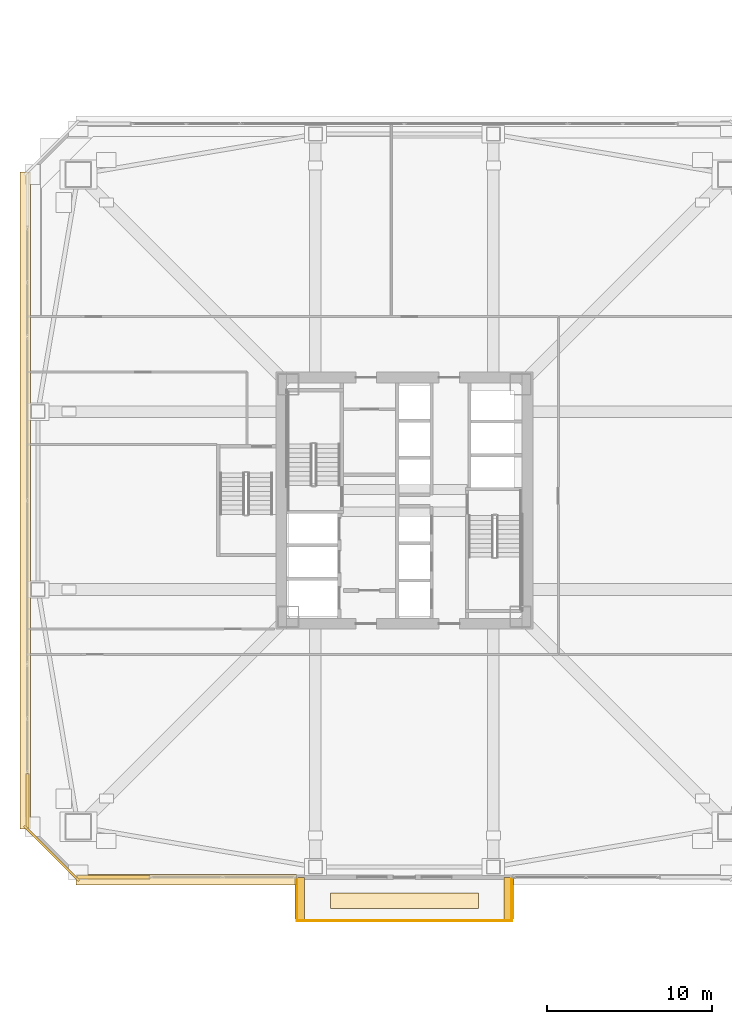
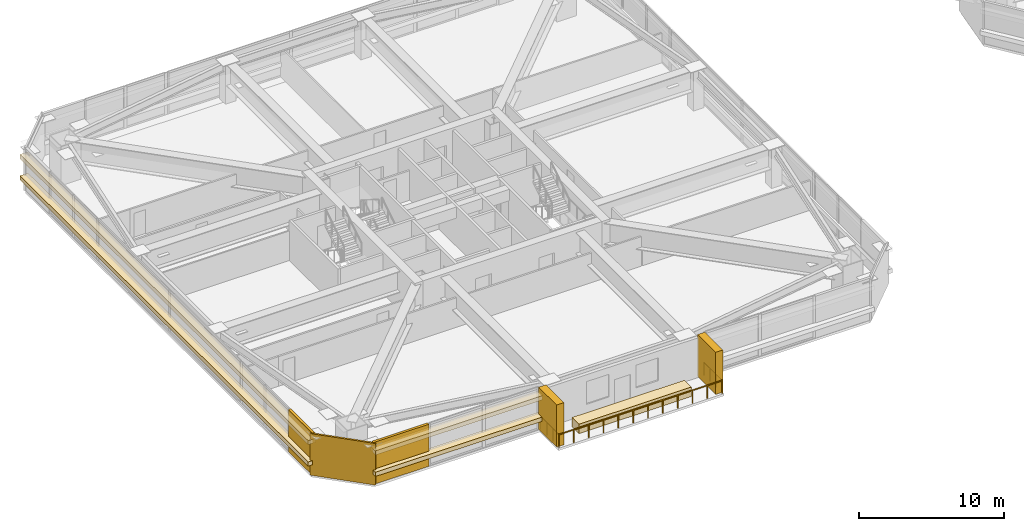
# One storey, part 43 of 48: 10 coverings, 3 railings.
"""IFC4 building model written with IfcOpenShell, lengths in metres."""

from ifc_helpers import new_model, si_unit, direction, frame, origin, origin_2d, place, context, subcontext, project, spatial, rectangle, extrude, material, layer, layer_set, type_object, element, save


model = new_model("IFC4")

# Units and contexts
model_context = context("Model", 3, precision=1e-05, world=origin(), true_north=direction((0.0, 1.0)))
body_context = subcontext(model_context, "Body", "Model", "MODEL_VIEW")
ifc_project = project(units=[si_unit("LENGTHUNIT", "METRE"), si_unit("AREAUNIT", "SQUARE_METRE"), si_unit("VOLUMEUNIT", "CUBIC_METRE"), si_unit("PLANEANGLEUNIT", "RADIAN"), si_unit("MASSUNIT", "GRAM", prefix="KILO")], contexts=[model_context])

# Site, building, storey
site_placement = place(None, origin())
site = spatial("IfcSite", under=ifc_project, at=site_placement, CompositionType="ELEMENT")
building_placement = place(site_placement, origin())
building = spatial("IfcBuilding", under=site, at=building_placement, Name="Tashvorn Skyway Center", CompositionType="ELEMENT")
storey_placement = place(building_placement, frame((0.0, 0.0, 63.64990234375)))
storey = spatial("IfcBuildingStorey", under=building, at=storey_placement, Name="L16", CompositionType="ELEMENT", Elevation=63.64990234375)

# Coverings
ifc_material_1 = material(Name="Precast concrete C40/50", Category="concrete")
ifc_layer_1 = layer(ifc_material_1, 0.199951171875)
ifc_layer_set_1 = layer_set([ifc_layer_1], Name="Precast concrete C40/50")
covering_type_1 = type_object("IfcCoveringType", Name="COV-BRACE-CLAD", PredefinedType="CLADDING", material=ifc_layer_set_1)
covering_1_placement = place(storey_placement, frame((24.333251953125, 9.1201171875, 0.0), z_axis=(0.0, 0.0, 1.0), x_axis=(-1.0, 0.0, 0.0)))
element("IfcCovering", 1, at=covering_1_placement, inside=storey, type_object=covering_type_1, Name="Tower 1 L16 South Curtain Wall R Mega-Brace Cladding Band 1", PredefinedType="CLADDING", context=body_context, shape_type="SweptSolid", body=[
    extrude(rectangle(XDim=4.4267578125, YDim=0.199951171875, at=origin_2d()), origin(), (0.0, 0.0, 1.0), 3.550048828125),
])
covering_2_placement = place(storey_placement, frame((19.1201171875, 13.776611328125, 0.0), z_axis=(0.0, 0.0, 1.0), x_axis=(0.0, 1.0, 0.0)))
element("IfcCovering", 2, at=covering_2_placement, inside=storey, type_object=covering_type_1, Name="Tower 1 L16 West Unitised Curtain Wall Mega-Brace Cladding Band 1", PredefinedType="CLADDING", context=body_context, shape_type="SweptSolid", body=[
    extrude(rectangle(XDim=3.313232421875, YDim=0.199951171875, at=origin_2d()), origin(), (0.0, 0.0, 1.0), 3.550048828125),
])
ifc_material_2 = material(Name="Perforated ceramic-coated bronze aluminium solar screen", Category="aluminium")
ifc_layer_2 = layer(ifc_material_2, 0.85009765625)
ifc_layer_set_2 = layer_set([ifc_layer_2], Name="Perforated ceramic-coated bronze aluminium solar screen")
covering_type_2 = type_object("IfcCoveringType", Name="COV-SOLAR-BAND", PredefinedType="CLADDING", material=ifc_layer_set_2)
for number, where, z_axis, x_axis, name in (
    (3, (28.760009765625, 8.97998046875, 0.919921875), (0.0, 0.0, 1.0), (-1.0, 0.0, 0.0), "L16 Perforated Ceramic-Metal Solar Screen Louvre Band South 1"),
    (4, (28.760009765625, 8.97998046875, 2.72021484375), (0.0, 0.0, 1.0), (-1.0, 0.0, 0.0), "L16 Perforated Ceramic-Metal Solar Screen Louvre Band South 2"),
):
    element("IfcCovering", number, at=place(storey_placement, frame(where, z_axis=z_axis, x_axis=x_axis)), inside=storey, type_object=covering_type_2, Name=name, PredefinedType="CLADDING", context=body_context, shape_type="SweptSolid", body=[
        extrude(rectangle(XDim=13.39990234375, YDim=0.639892578125, at=origin_2d()), origin(), (0.0, 0.0, 1.0), 0.360107421875),
    ])
for number, where, z_axis, x_axis, name in (
    (5, (18.97998046875, 32.0, 0.919921875), (0.0, 0.0, 1.0), (0.0, 1.0, 0.0), "L16 Perforated Ceramic-Metal Solar Screen Louvre Band West 1"),
    (6, (18.97998046875, 32.0, 2.72021484375), (0.0, 0.0, 1.0), (0.0, 1.0, 0.0), "L16 Perforated Ceramic-Metal Solar Screen Louvre Band West 2"),
):
    element("IfcCovering", number, at=place(storey_placement, frame(where, z_axis=z_axis, x_axis=x_axis)), inside=storey, type_object=covering_type_2, Name=name, PredefinedType="CLADDING", context=body_context, shape_type="SweptSolid", body=[
        extrude(rectangle(XDim=39.8798828125, YDim=0.639892578125, at=origin_2d()), origin(), (0.0, 0.0, 1.0), 0.360107421875),
    ])
ifc_layer_3 = layer(ifc_material_1, 0.35009765625)
ifc_layer_set_3 = layer_set([ifc_layer_3], Name="Precast concrete C40/50")
covering_type_3 = type_object("IfcCoveringType", Name="COV-STONE-TRIM", PredefinedType="CLADDING", material=ifc_layer_set_3)
for number, where, z_axis, x_axis, name in (
    (7, (48.35009765625, 7.85009765625, 0.0), (0.0, 0.0, 1.0), (-1.0, 0.0, 0.0), "Tower 1 L16 Sky Garden Loggia Pier L"),
    (8, (35.64990234375, 7.85009765625, 0.0), (0.0, 0.0, 1.0), (-1.0, 0.0, 0.0), "Tower 1 L16 Sky Garden Loggia Pier R"),
):
    element("IfcCovering", number, at=place(storey_placement, frame(where, z_axis=z_axis, x_axis=x_axis)), inside=storey, type_object=covering_type_3, Name=name, PredefinedType="CLADDING", context=body_context, shape_type="SweptSolid", body=[
        extrude(rectangle(XDim=0.580078125, YDim=2.5, at=origin_2d()), origin(), (0.0, 0.0, 1.0), 3.550048828125),
    ])
covering_3_placement = place(storey_placement, frame((42.0, 7.699951171875, 0.0), z_axis=(0.0, 0.0, 1.0), x_axis=(-1.0, 0.0, 0.0)))
element("IfcCovering", 9, at=covering_3_placement, inside=storey, type_object=covering_type_3, Name="Tower 1 L16 Sky Garden Stone Planter Bed", PredefinedType="CLADDING", context=body_context, shape_type="SweptSolid", body=[
    extrude(rectangle(XDim=8.97607421875, YDim=0.949951171875, at=origin_2d()), origin(), (0.0, 0.0, 1.0), 0.800048828125),
])
covering_4_placement = place(storey_placement, frame((20.580078125, 10.580078125, 0.02001953125), z_axis=(0.0, 0.0, 1.0), x_axis=(-0.707106781187, 0.707106781187, 0.0)))
element("IfcCovering", 10, at=covering_4_placement, inside=storey, type_object=covering_type_3, Name="Tower 1 L16 SW Mojave Limestone Corner Quoin", PredefinedType="CLADDING", context=body_context, shape_type="SweptSolid", body=[
    extrude(rectangle(XDim=4.685546875, YDim=0.139892578125, at=origin_2d()), origin(), (0.0, 0.0, 1.0), 3.510009765625),
])

# Railings
ifc_material_3 = material(Name="Galvanized steel S355", Category="steel")
railing_type = type_object("IfcRailingType", Name="RAIL-GUARD-1120", PredefinedType="GUARDRAIL", material=ifc_material_3)
railing_1_placement = place(storey_placement, frame((35.47998046875, 9.0, 0.0)))
element("IfcRailing", 11, at=railing_1_placement, inside=storey, type_object=railing_type, Name="L16 Tower 1 Terrace Guardrail 01", PredefinedType="GUARDRAIL", context=body_context, shape_type="SweptSolid", body=[
    extrude(rectangle(XDim=0.048095703125, YDim=0.048095703125, at=origin_2d()), frame((0.0, 0.0, 1.09619140625), z_axis=(0.0, -1.0, 0.0), x_axis=(1.0, 0.0, 0.0)), (0.0, 0.0, 1.0), 2.52001953125),
    extrude(rectangle(XDim=0.0419921875, YDim=0.0419921875, at=origin_2d()), origin(), (0.0, 0.0, 1.0), 1.072021484375),
    extrude(rectangle(XDim=0.0419921875, YDim=0.0419921875, at=origin_2d()), frame((0.0, -0.840087890625, 0.0)), (0.0, 0.0, 1.0), 1.072021484375),
    extrude(rectangle(XDim=0.0419921875, YDim=0.0419921875, at=origin_2d()), frame((0.0, -1.679931640625, 0.0)), (0.0, 0.0, 1.0), 1.072021484375),
    extrude(rectangle(XDim=0.0419921875, YDim=0.0419921875, at=origin_2d()), frame((0.0, -2.52001953125, 0.0)), (0.0, 0.0, 1.0), 1.072021484375),
])
railing_2_placement = place(storey_placement, frame((35.47998046875, 6.47998046875, 0.0)))
element("IfcRailing", 12, at=railing_2_placement, inside=storey, type_object=railing_type, Name="L16 Tower 1 Terrace Guardrail 02", PredefinedType="GUARDRAIL", context=body_context, shape_type="SweptSolid", body=[
    extrude(rectangle(XDim=0.048095703125, YDim=0.048095703125, at=origin_2d()), frame((0.0, 0.0, 1.09619140625), z_axis=(1.0, 0.0, 0.0), x_axis=(0.0, 1.0, 0.0)), (0.0, 0.0, 1.0), 13.0400390625),
    extrude(rectangle(XDim=0.0419921875, YDim=0.0419921875, at=origin_2d()), origin(), (0.0, 0.0, 1.0), 1.072021484375),
    extrude(rectangle(XDim=0.0419921875, YDim=0.0419921875, at=origin_2d()), frame((1.185546875, 0.0, 0.0)), (0.0, 0.0, 1.0), 1.072021484375),
    extrude(rectangle(XDim=0.0419921875, YDim=0.0419921875, at=origin_2d()), frame((2.370849609375, 0.0, 0.0)), (0.0, 0.0, 1.0), 1.072021484375),
    extrude(rectangle(XDim=0.0419921875, YDim=0.0419921875, at=origin_2d()), frame((3.556396484375, 0.0, 0.0)), (0.0, 0.0, 1.0), 1.072021484375),
    extrude(rectangle(XDim=0.0419921875, YDim=0.0419921875, at=origin_2d()), frame((4.741943359375, 0.0, 0.0)), (0.0, 0.0, 1.0), 1.072021484375),
    extrude(rectangle(XDim=0.0419921875, YDim=0.0419921875, at=origin_2d()), frame((5.92724609375, 0.0, 0.0)), (0.0, 0.0, 1.0), 1.072021484375),
    extrude(rectangle(XDim=0.0419921875, YDim=0.0419921875, at=origin_2d()), frame((7.11279296875, 0.0, 0.0)), (0.0, 0.0, 1.0), 1.072021484375),
    extrude(rectangle(XDim=0.0419921875, YDim=0.0419921875, at=origin_2d()), frame((8.298095703125, 0.0, 0.0)), (0.0, 0.0, 1.0), 1.072021484375),
    extrude(rectangle(XDim=0.0419921875, YDim=0.0419921875, at=origin_2d()), frame((9.483642578125, 0.0, 0.0)), (0.0, 0.0, 1.0), 1.072021484375),
    extrude(rectangle(XDim=0.0419921875, YDim=0.0419921875, at=origin_2d()), frame((10.669189453125, 0.0, 0.0)), (0.0, 0.0, 1.0), 1.072021484375),
    extrude(rectangle(XDim=0.0419921875, YDim=0.0419921875, at=origin_2d()), frame((11.8544921875, 0.0, 0.0)), (0.0, 0.0, 1.0), 1.072021484375),
    extrude(rectangle(XDim=0.0419921875, YDim=0.0419921875, at=origin_2d()), frame((13.0400390625, 0.0, 0.0)), (0.0, 0.0, 1.0), 1.072021484375),
])
railing_3_placement = place(storey_placement, frame((48.52001953125, 6.47998046875, 0.0)))
element("IfcRailing", 13, at=railing_3_placement, inside=storey, type_object=railing_type, Name="L16 Tower 1 Terrace Guardrail 03", PredefinedType="GUARDRAIL", context=body_context, shape_type="SweptSolid", body=[
    extrude(rectangle(XDim=0.048095703125, YDim=0.048095703125, at=origin_2d()), frame((0.0, 0.0, 1.09619140625), z_axis=(0.0, 1.0, 0.0), x_axis=(-1.0, 0.0, 0.0)), (0.0, 0.0, 1.0), 2.52001953125),
    extrude(rectangle(XDim=0.0419921875, YDim=0.0419921875, at=origin_2d()), origin(), (0.0, 0.0, 1.0), 1.072021484375),
    extrude(rectangle(XDim=0.0419921875, YDim=0.0419921875, at=origin_2d()), frame((0.0, 0.840087890625, 0.0)), (0.0, 0.0, 1.0), 1.072021484375),
    extrude(rectangle(XDim=0.0419921875, YDim=0.0419921875, at=origin_2d()), frame((0.0, 1.679931640625, 0.0)), (0.0, 0.0, 1.0), 1.072021484375),
    extrude(rectangle(XDim=0.0419921875, YDim=0.0419921875, at=origin_2d()), frame((0.0, 2.52001953125, 0.0)), (0.0, 0.0, 1.0), 1.072021484375),
])

save(model, "model.ifc")
